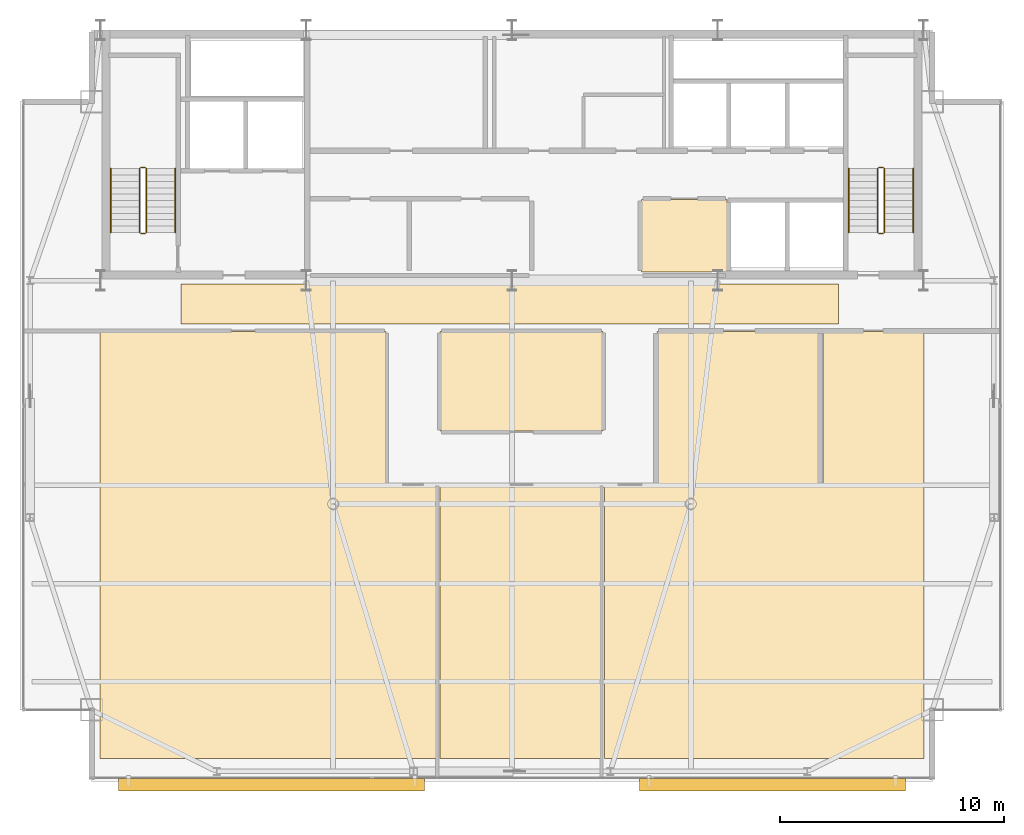
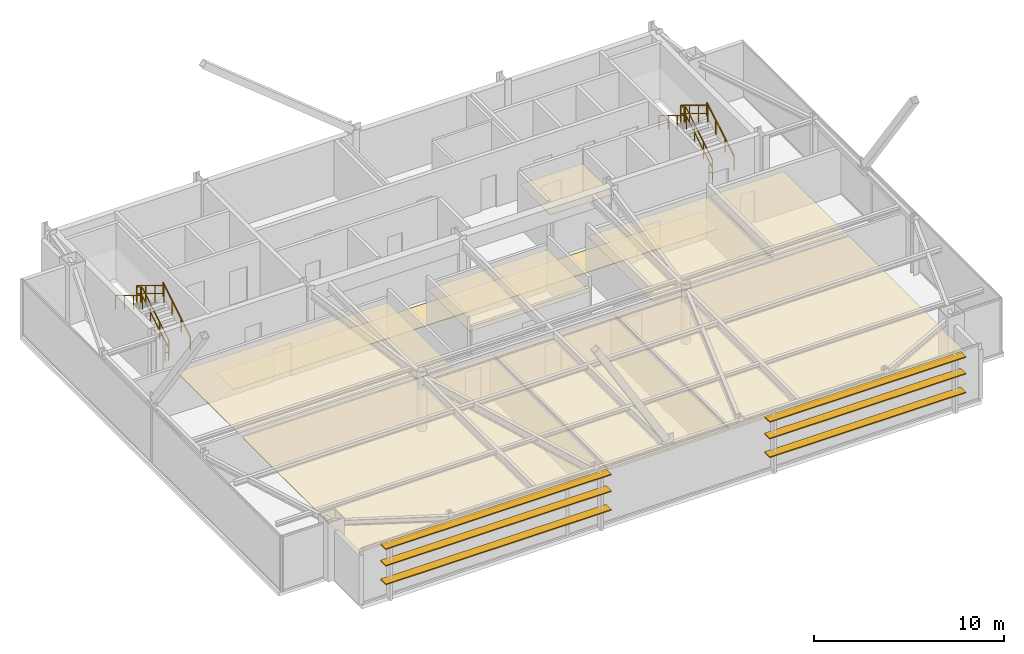
# One storey, part 24 of 24: 12 railings, 9 coverings, 6 shading devices.
"""IFC4 building model written with IfcOpenShell, lengths in metres."""

from ifc_helpers import new_model, si_unit, direction, frame, origin, origin_2d, place, context, subcontext, project, spatial, polyline, rectangle, outline, extrude, source, transform, mapped, material, layer, layer_set, type_object, type_shapes, element, save


model = new_model("IFC4")

# Units and contexts
model_context = context("Model", 3, precision=1e-05, world=origin(), true_north=direction((0.0, 1.0)))
body_context = subcontext(model_context, "Body", "Model", "MODEL_VIEW")
ifc_project = project(units=[si_unit("LENGTHUNIT", "METRE"), si_unit("AREAUNIT", "SQUARE_METRE"), si_unit("VOLUMEUNIT", "CUBIC_METRE"), si_unit("PLANEANGLEUNIT", "RADIAN"), si_unit("MASSUNIT", "GRAM", prefix="KILO")], contexts=[model_context])

# Site, building, storey
site_placement = place(None, origin())
site = spatial("IfcSite", under=ifc_project, at=site_placement, CompositionType="ELEMENT")
building_placement = place(site_placement, origin())
building = spatial("IfcBuilding", under=site, at=building_placement, Name="Varnel Quay Broadcast Tower", CompositionType="ELEMENT")
storey_placement = place(building_placement, frame((0.0, 0.0, 277.39990234375)))
storey = spatial("IfcBuildingStorey", under=building, at=storey_placement, Name="L69", CompositionType="ELEMENT", Elevation=277.39990234375)

# Coverings
ifc_material_1 = material(Name="Micro-Perforated Acoustic Ceiling Tile")
ifc_layer_1 = layer(ifc_material_1, 0.0400390625, Name="Micro-Perforated Acoustic Ceiling Tile")
ifc_layer_set_1 = layer_set([ifc_layer_1], Name="Micro-Perforated Acoustic Ceiling Tile")
covering_type_1 = type_object("IfcCoveringType", Name="Cov_AcousticCeiling", PredefinedType="CEILING", material=ifc_layer_set_1)
covering_1_placement = place(storey_placement, frame((0.0, 0.0, 2.580078125)))
element("IfcCovering", 1, at=covering_1_placement, inside=storey, type_object=covering_type_1, Name="L69 Electrical Sub-Distribution Closet Acoustic Ceiling", PredefinedType="CEILING", context=body_context, shape_type="SweptSolid", body=[
    extrude(outline(polyline([(39.784912109375, 35.985107421875), (43.614990234375, 35.985107421875), (43.614990234375, 39.215087890625), (39.784912109375, 39.215087890625), (39.784912109375, 35.985107421875)])), origin(), (0.0, 0.0, 1.0), 0.0400390625),
])
covering_2_placement = place(storey_placement, frame((0.0, 0.0, 2.580078125)))
element("IfcCovering", 2, at=covering_2_placement, inside=storey, type_object=covering_type_1, Name="L69 Bureau Office 1 Acoustic Ceiling", PredefinedType="CEILING", context=body_context, shape_type="SweptSolid", body=[
    extrude(outline(polyline([(15.5849609375, 14.22509765625), (30.715087890625, 14.22509765625), (30.715087890625, 26.445068359375), (15.5849609375, 26.445068359375), (15.5849609375, 14.22509765625)])), origin(), (0.0, 0.0, 1.0), 0.0400390625),
])
covering_3_placement = place(storey_placement, frame((0.0, 0.0, 2.580078125)))
element("IfcCovering", 3, at=covering_3_placement, inside=storey, type_object=covering_type_1, Name="L69 Reading Lounge 2 Acoustic Ceiling", PredefinedType="CEILING", context=body_context, shape_type="SweptSolid", body=[
    extrude(outline(polyline([(30.784912109375, 14.22509765625), (38.06494140625, 14.22509765625), (38.06494140625, 26.445068359375), (30.784912109375, 26.445068359375), (30.784912109375, 14.22509765625)])), origin(), (0.0, 0.0, 1.0), 0.0400390625),
])
covering_4_placement = place(storey_placement, frame((0.0, 0.0, 2.580078125)))
element("IfcCovering", 4, at=covering_4_placement, inside=storey, type_object=covering_type_1, Name="L69 Broadcast Seminar Room 3 Acoustic Ceiling", PredefinedType="CEILING", context=body_context, shape_type="SweptSolid", body=[
    extrude(outline(polyline([(38.135009765625, 14.22509765625), (52.4150390625, 14.22509765625), (52.4150390625, 26.445068359375), (38.135009765625, 26.445068359375), (38.135009765625, 14.22509765625)])), origin(), (0.0, 0.0, 1.0), 0.0400390625),
])
covering_5_placement = place(storey_placement, frame((0.0, 0.0, 2.580078125)))
element("IfcCovering", 5, at=covering_5_placement, inside=storey, type_object=covering_type_1, Name="L69 Press Briefing Room 4 Acoustic Ceiling", PredefinedType="CEILING", context=body_context, shape_type="SweptSolid", body=[
    extrude(outline(polyline([(15.5849609375, 26.514892578125), (28.364990234375, 26.514892578125), (28.364990234375, 33.31494140625), (15.5849609375, 33.31494140625), (15.5849609375, 26.514892578125)])), origin(), (0.0, 0.0, 1.0), 0.0400390625),
])
covering_6_placement = place(storey_placement, frame((0.0, 0.0, 2.580078125)))
element("IfcCovering", 6, at=covering_6_placement, inside=storey, type_object=covering_type_1, Name="L69 Editorial Huddle Room 5 Acoustic Ceiling", PredefinedType="CEILING", context=body_context, shape_type="SweptSolid", body=[
    extrude(outline(polyline([(30.784912109375, 28.864990234375), (38.06494140625, 28.864990234375), (38.06494140625, 33.31494140625), (30.784912109375, 33.31494140625), (30.784912109375, 28.864990234375)])), origin(), (0.0, 0.0, 1.0), 0.0400390625),
])
covering_7_placement = place(storey_placement, frame((0.0, 0.0, 2.580078125)))
element("IfcCovering", 7, at=covering_7_placement, inside=storey, type_object=covering_type_1, Name="L69 Journalism Training Studio 6 Acoustic Ceiling", PredefinedType="CEILING", context=body_context, shape_type="SweptSolid", body=[
    extrude(outline(polyline([(40.485107421875, 26.514892578125), (47.8349609375, 26.514892578125), (47.8349609375, 33.31494140625), (40.485107421875, 33.31494140625), (40.485107421875, 26.514892578125)])), origin(), (0.0, 0.0, 1.0), 0.0400390625),
])
covering_8_placement = place(storey_placement, frame((0.0, 0.0, 2.580078125)))
element("IfcCovering", 8, at=covering_8_placement, inside=storey, type_object=covering_type_1, Name="L69 Catering Kitchen 7 Acoustic Ceiling", PredefinedType="CEILING", context=body_context, shape_type="SweptSolid", body=[
    extrude(outline(polyline([(47.905029296875, 26.514892578125), (52.4150390625, 26.514892578125), (52.4150390625, 33.31494140625), (47.905029296875, 33.31494140625), (47.905029296875, 26.514892578125)])), origin(), (0.0, 0.0, 1.0), 0.0400390625),
])
ifc_material_2 = material(Name="Polished Terrazzo & Broadcast Raised Flooring")
ifc_layer_2 = layer(ifc_material_2, 0.0400390625, Name="Polished Terrazzo & Broadcast Raised Flooring")
ifc_layer_set_2 = layer_set([ifc_layer_2], Name="Polished Terrazzo & Broadcast Raised Flooring")
covering_type_2 = type_object("IfcCoveringType", Name="Cov_TerrazzoFloor", PredefinedType="FLOORING", material=ifc_layer_set_2)
covering_9_placement = place(storey_placement, origin())
element("IfcCovering", 9, at=covering_9_placement, inside=storey, type_object=covering_type_2, Name="L69 Corridor Terrazzo Flooring", PredefinedType="FLOORING", context=body_context, shape_type="SweptSolid", body=[
    extrude(outline(polyline([(19.199951171875, 33.64990234375), (48.60009765625, 33.64990234375), (48.60009765625, 35.449951171875), (19.199951171875, 35.449951171875), (19.199951171875, 33.64990234375)])), origin(), (0.0, 0.0, 1.0), 0.0400390625),
])

# Railings
ifc_material_3 = material(Name="Painted Steel Guard and Handrail CSA G40.21 350W", Category="steel")
railing_type_1 = type_object("IfcRailingType", Name="Rail_StairGuard1100", PredefinedType="GUARDRAIL", material=ifc_material_3)
railing_1_placement = place(storey_placement, frame((17.64990234375, 37.75, 0.1728515625)))
element("IfcRailing", 10, at=railing_1_placement, inside=storey, type_object=railing_type_1, Name="L69 ST-01 stair guard 1", PredefinedType="GUARDRAIL", context=body_context, shape_type="SweptSolid", body=[
    extrude(rectangle(XDim=0.048095703125, YDim=0.048095703125, at=origin_2d()), frame((0.0, 0.0, 1.076171875), z_axis=(0.0, 0.855202751398, 0.518293598264), x_axis=(-1.0, 0.0, 0.0)), (0.0, 0.0, 1.0), 3.332763671875),
    extrude(rectangle(XDim=0.048095703125, YDim=0.048095703125, at=origin_2d()), frame((0.0, 0.0, 0.550048828125), z_axis=(0.0, 0.855202751398, 0.518293598264), x_axis=(-1.0, 0.0, 0.0)), (0.0, 0.0, 1.0), 3.332763671875),
    extrude(rectangle(XDim=0.0419921875, YDim=0.0419921875, at=origin_2d()), origin(), (0.0, 0.0, 1.0), 1.052001953125),
    extrude(rectangle(XDim=0.0419921875, YDim=0.0419921875, at=origin_2d()), frame((0.0, 0.949951171875, 0.57568359375)), (0.0, 0.0, 1.0), 1.052001953125),
    extrude(rectangle(XDim=0.0419921875, YDim=0.0419921875, at=origin_2d()), frame((0.0, 1.900146484375, 1.151611328125)), (0.0, 0.0, 1.0), 1.052001953125),
    extrude(rectangle(XDim=0.0419921875, YDim=0.0419921875, at=origin_2d()), frame((0.0, 2.85009765625, 1.727294921875)), (0.0, 0.0, 1.0), 1.052001953125),
])
railing_2_placement = place(storey_placement, frame((17.60009765625, 40.64990234375, 1.900146484375)))
element("IfcRailing", 11, at=railing_2_placement, inside=storey, type_object=railing_type_1, Name="L69 ST-01 stair guard 2", PredefinedType="GUARDRAIL", context=body_context, shape_type="SweptSolid", body=[
    extrude(rectangle(XDim=0.048095703125, YDim=0.048095703125, at=origin_2d()), frame((0.0, 0.0, 1.076171875), z_axis=(-1.0, 0.0, 0.0), x_axis=(0.0, -1.0, 0.0)), (0.0, 0.0, 1.0), 0.2001953125),
    extrude(rectangle(XDim=0.048095703125, YDim=0.048095703125, at=origin_2d()), frame((0.0, 0.0, 0.550048828125), z_axis=(-1.0, 0.0, 0.0), x_axis=(0.0, -1.0, 0.0)), (0.0, 0.0, 1.0), 0.2001953125),
    extrude(rectangle(XDim=0.0419921875, YDim=0.0419921875, at=origin_2d()), origin(), (0.0, 0.0, 1.0), 1.052001953125),
    extrude(rectangle(XDim=0.0419921875, YDim=0.0419921875, at=origin_2d()), frame((-0.2001953125, 0.0, 0.0)), (0.0, 0.0, 1.0), 1.052001953125),
])
railing_3_placement = place(storey_placement, frame((17.35009765625, 40.60009765625, 2.07275390625)))
element("IfcRailing", 12, at=railing_3_placement, inside=storey, type_object=railing_type_1, Name="L69 ST-01 stair guard 3", PredefinedType="GUARDRAIL", context=body_context, shape_type="SweptSolid", body=[
    extrude(rectangle(XDim=0.048095703125, YDim=0.048095703125, at=origin_2d()), frame((0.0, 0.0, 1.076171875), z_axis=(0.0, -0.855202751398, 0.518293598264), x_axis=(1.0, 0.0, 0.0)), (0.0, 0.0, 1.0), 3.332763671875),
    extrude(rectangle(XDim=0.048095703125, YDim=0.048095703125, at=origin_2d()), frame((0.0, 0.0, 0.550048828125), z_axis=(0.0, -0.855202751398, 0.518293598264), x_axis=(1.0, 0.0, 0.0)), (0.0, 0.0, 1.0), 3.332763671875),
    extrude(rectangle(XDim=0.0419921875, YDim=0.0419921875, at=origin_2d()), origin(), (0.0, 0.0, 1.0), 1.052001953125),
    extrude(rectangle(XDim=0.0419921875, YDim=0.0419921875, at=origin_2d()), frame((0.0, -0.949951171875, 0.57568359375)), (0.0, 0.0, 1.0), 1.052001953125),
    extrude(rectangle(XDim=0.0419921875, YDim=0.0419921875, at=origin_2d()), frame((0.0, -1.900146484375, 1.151611328125)), (0.0, 0.0, 1.0), 1.052001953125),
    extrude(rectangle(XDim=0.0419921875, YDim=0.0419921875, at=origin_2d()), frame((0.0, -2.85009765625, 1.727294921875)), (0.0, 0.0, 1.0), 1.052001953125),
])
railing_4_placement = place(storey_placement, frame((17.60009765625, 37.699951171875, 0.0)))
element("IfcRailing", 13, at=railing_4_placement, inside=storey, type_object=railing_type_1, Name="L69 ST-01 stair guard 4", PredefinedType="GUARDRAIL", context=body_context, shape_type="SweptSolid", body=[
    extrude(rectangle(XDim=0.048095703125, YDim=0.048095703125, at=origin_2d()), frame((0.0, 0.0, 1.076171875), z_axis=(-1.0, 0.0, 0.0), x_axis=(0.0, -1.0, 0.0)), (0.0, 0.0, 1.0), 0.2001953125),
    extrude(rectangle(XDim=0.048095703125, YDim=0.048095703125, at=origin_2d()), frame((0.0, 0.0, 0.550048828125), z_axis=(-1.0, 0.0, 0.0), x_axis=(0.0, -1.0, 0.0)), (0.0, 0.0, 1.0), 0.2001953125),
    extrude(rectangle(XDim=0.0419921875, YDim=0.0419921875, at=origin_2d()), origin(), (0.0, 0.0, 1.0), 1.052001953125),
    extrude(rectangle(XDim=0.0419921875, YDim=0.0419921875, at=origin_2d()), frame((-0.2001953125, 0.0, 0.0)), (0.0, 0.0, 1.0), 1.052001953125),
])
railing_5_placement = place(storey_placement, frame((50.64990234375, 37.75, 0.1728515625)))
element("IfcRailing", 14, at=railing_5_placement, inside=storey, type_object=railing_type_1, Name="L69 ST-02 stair guard 1", PredefinedType="GUARDRAIL", context=body_context, shape_type="SweptSolid", body=[
    extrude(rectangle(XDim=0.048095703125, YDim=0.048095703125, at=origin_2d()), frame((0.0, 0.0, 1.076171875), z_axis=(0.0, 0.855202751398, 0.518293598264), x_axis=(-1.0, 0.0, 0.0)), (0.0, 0.0, 1.0), 3.332763671875),
    extrude(rectangle(XDim=0.048095703125, YDim=0.048095703125, at=origin_2d()), frame((0.0, 0.0, 0.550048828125), z_axis=(0.0, 0.855202751398, 0.518293598264), x_axis=(-1.0, 0.0, 0.0)), (0.0, 0.0, 1.0), 3.332763671875),
    extrude(rectangle(XDim=0.0419921875, YDim=0.0419921875, at=origin_2d()), origin(), (0.0, 0.0, 1.0), 1.052001953125),
    extrude(rectangle(XDim=0.0419921875, YDim=0.0419921875, at=origin_2d()), frame((0.0, 0.949951171875, 0.57568359375)), (0.0, 0.0, 1.0), 1.052001953125),
    extrude(rectangle(XDim=0.0419921875, YDim=0.0419921875, at=origin_2d()), frame((0.0, 1.900146484375, 1.151611328125)), (0.0, 0.0, 1.0), 1.052001953125),
    extrude(rectangle(XDim=0.0419921875, YDim=0.0419921875, at=origin_2d()), frame((0.0, 2.85009765625, 1.727294921875)), (0.0, 0.0, 1.0), 1.052001953125),
])
railing_6_placement = place(storey_placement, frame((50.60009765625, 40.64990234375, 1.900146484375)))
element("IfcRailing", 15, at=railing_6_placement, inside=storey, type_object=railing_type_1, Name="L69 ST-02 stair guard 2", PredefinedType="GUARDRAIL", context=body_context, shape_type="SweptSolid", body=[
    extrude(rectangle(XDim=0.048095703125, YDim=0.048095703125, at=origin_2d()), frame((0.0, 0.0, 1.076171875), z_axis=(-1.0, 0.0, 0.0), x_axis=(0.0, -1.0, 0.0)), (0.0, 0.0, 1.0), 0.2001953125),
    extrude(rectangle(XDim=0.048095703125, YDim=0.048095703125, at=origin_2d()), frame((0.0, 0.0, 0.550048828125), z_axis=(-1.0, 0.0, 0.0), x_axis=(0.0, -1.0, 0.0)), (0.0, 0.0, 1.0), 0.2001953125),
    extrude(rectangle(XDim=0.0419921875, YDim=0.0419921875, at=origin_2d()), origin(), (0.0, 0.0, 1.0), 1.052001953125),
    extrude(rectangle(XDim=0.0419921875, YDim=0.0419921875, at=origin_2d()), frame((-0.2001953125, 0.0, 0.0)), (0.0, 0.0, 1.0), 1.052001953125),
])
railing_7_placement = place(storey_placement, frame((50.35009765625, 40.60009765625, 2.07275390625)))
element("IfcRailing", 16, at=railing_7_placement, inside=storey, type_object=railing_type_1, Name="L69 ST-02 stair guard 3", PredefinedType="GUARDRAIL", context=body_context, shape_type="SweptSolid", body=[
    extrude(rectangle(XDim=0.048095703125, YDim=0.048095703125, at=origin_2d()), frame((0.0, 0.0, 1.076171875), z_axis=(0.0, -0.855202751398, 0.518293598264), x_axis=(1.0, 0.0, 0.0)), (0.0, 0.0, 1.0), 3.332763671875),
    extrude(rectangle(XDim=0.048095703125, YDim=0.048095703125, at=origin_2d()), frame((0.0, 0.0, 0.550048828125), z_axis=(0.0, -0.855202751398, 0.518293598264), x_axis=(1.0, 0.0, 0.0)), (0.0, 0.0, 1.0), 3.332763671875),
    extrude(rectangle(XDim=0.0419921875, YDim=0.0419921875, at=origin_2d()), origin(), (0.0, 0.0, 1.0), 1.052001953125),
    extrude(rectangle(XDim=0.0419921875, YDim=0.0419921875, at=origin_2d()), frame((0.0, -0.949951171875, 0.57568359375)), (0.0, 0.0, 1.0), 1.052001953125),
    extrude(rectangle(XDim=0.0419921875, YDim=0.0419921875, at=origin_2d()), frame((0.0, -1.900146484375, 1.151611328125)), (0.0, 0.0, 1.0), 1.052001953125),
    extrude(rectangle(XDim=0.0419921875, YDim=0.0419921875, at=origin_2d()), frame((0.0, -2.85009765625, 1.727294921875)), (0.0, 0.0, 1.0), 1.052001953125),
])
railing_8_placement = place(storey_placement, frame((50.60009765625, 37.699951171875, 0.0)))
element("IfcRailing", 17, at=railing_8_placement, inside=storey, type_object=railing_type_1, Name="L69 ST-02 stair guard 4", PredefinedType="GUARDRAIL", context=body_context, shape_type="SweptSolid", body=[
    extrude(rectangle(XDim=0.048095703125, YDim=0.048095703125, at=origin_2d()), frame((0.0, 0.0, 1.076171875), z_axis=(-1.0, 0.0, 0.0), x_axis=(0.0, -1.0, 0.0)), (0.0, 0.0, 1.0), 0.2001953125),
    extrude(rectangle(XDim=0.048095703125, YDim=0.048095703125, at=origin_2d()), frame((0.0, 0.0, 0.550048828125), z_axis=(-1.0, 0.0, 0.0), x_axis=(0.0, -1.0, 0.0)), (0.0, 0.0, 1.0), 0.2001953125),
    extrude(rectangle(XDim=0.0419921875, YDim=0.0419921875, at=origin_2d()), origin(), (0.0, 0.0, 1.0), 1.052001953125),
    extrude(rectangle(XDim=0.0419921875, YDim=0.0419921875, at=origin_2d()), frame((-0.2001953125, 0.0, 0.0)), (0.0, 0.0, 1.0), 1.052001953125),
])
railing_type_2 = type_object("IfcRailingType", Name="Rail_StairHandrail900", PredefinedType="HANDRAIL", material=ifc_material_3)
railing_9_placement = place(storey_placement, frame((18.949951171875, 37.75, 0.1728515625)))
element("IfcRailing", 18, at=railing_9_placement, inside=storey, type_object=railing_type_2, Name="L69 ST-01 stair handrail 1", PredefinedType="HANDRAIL", context=body_context, shape_type="SweptSolid", body=[
    extrude(rectangle(XDim=0.048095703125, YDim=0.048095703125, at=origin_2d()), frame((0.0, 0.0, 0.8759765625), z_axis=(0.0, 0.855202751398, 0.518293598264), x_axis=(-1.0, 0.0, 0.0)), (0.0, 0.0, 1.0), 3.332763671875),
    extrude(rectangle(XDim=0.0419921875, YDim=0.0419921875, at=origin_2d()), origin(), (0.0, 0.0, 1.0), 0.851806640625),
    extrude(rectangle(XDim=0.0419921875, YDim=0.0419921875, at=origin_2d()), frame((0.0, 0.949951171875, 0.57568359375)), (0.0, 0.0, 1.0), 0.851806640625),
    extrude(rectangle(XDim=0.0419921875, YDim=0.0419921875, at=origin_2d()), frame((0.0, 1.900146484375, 1.151611328125)), (0.0, 0.0, 1.0), 0.851806640625),
    extrude(rectangle(XDim=0.0419921875, YDim=0.0419921875, at=origin_2d()), frame((0.0, 2.85009765625, 1.727294921875)), (0.0, 0.0, 1.0), 0.851806640625),
])
railing_10_placement = place(storey_placement, frame((16.050048828125, 40.60009765625, 2.07275390625)))
element("IfcRailing", 19, at=railing_10_placement, inside=storey, type_object=railing_type_2, Name="L69 ST-01 stair handrail 2", PredefinedType="HANDRAIL", context=body_context, shape_type="SweptSolid", body=[
    extrude(rectangle(XDim=0.048095703125, YDim=0.048095703125, at=origin_2d()), frame((0.0, 0.0, 0.8759765625), z_axis=(0.0, -0.855202751398, 0.518293598264), x_axis=(1.0, 0.0, 0.0)), (0.0, 0.0, 1.0), 3.332763671875),
    extrude(rectangle(XDim=0.0419921875, YDim=0.0419921875, at=origin_2d()), origin(), (0.0, 0.0, 1.0), 0.851806640625),
    extrude(rectangle(XDim=0.0419921875, YDim=0.0419921875, at=origin_2d()), frame((0.0, -0.949951171875, 0.57568359375)), (0.0, 0.0, 1.0), 0.851806640625),
    extrude(rectangle(XDim=0.0419921875, YDim=0.0419921875, at=origin_2d()), frame((0.0, -1.900146484375, 1.151611328125)), (0.0, 0.0, 1.0), 0.851806640625),
    extrude(rectangle(XDim=0.0419921875, YDim=0.0419921875, at=origin_2d()), frame((0.0, -2.85009765625, 1.727294921875)), (0.0, 0.0, 1.0), 0.851806640625),
])
railing_11_placement = place(storey_placement, frame((51.949951171875, 37.75, 0.1728515625)))
element("IfcRailing", 20, at=railing_11_placement, inside=storey, type_object=railing_type_2, Name="L69 ST-02 stair handrail 1", PredefinedType="HANDRAIL", context=body_context, shape_type="SweptSolid", body=[
    extrude(rectangle(XDim=0.048095703125, YDim=0.048095703125, at=origin_2d()), frame((0.0, 0.0, 0.8759765625), z_axis=(0.0, 0.855202751398, 0.518293598264), x_axis=(-1.0, 0.0, 0.0)), (0.0, 0.0, 1.0), 3.332763671875),
    extrude(rectangle(XDim=0.0419921875, YDim=0.0419921875, at=origin_2d()), origin(), (0.0, 0.0, 1.0), 0.851806640625),
    extrude(rectangle(XDim=0.0419921875, YDim=0.0419921875, at=origin_2d()), frame((0.0, 0.949951171875, 0.57568359375)), (0.0, 0.0, 1.0), 0.851806640625),
    extrude(rectangle(XDim=0.0419921875, YDim=0.0419921875, at=origin_2d()), frame((0.0, 1.900146484375, 1.151611328125)), (0.0, 0.0, 1.0), 0.851806640625),
    extrude(rectangle(XDim=0.0419921875, YDim=0.0419921875, at=origin_2d()), frame((0.0, 2.85009765625, 1.727294921875)), (0.0, 0.0, 1.0), 0.851806640625),
])
railing_12_placement = place(storey_placement, frame((49.050048828125, 40.60009765625, 2.07275390625)))
element("IfcRailing", 21, at=railing_12_placement, inside=storey, type_object=railing_type_2, Name="L69 ST-02 stair handrail 2", PredefinedType="HANDRAIL", context=body_context, shape_type="SweptSolid", body=[
    extrude(rectangle(XDim=0.048095703125, YDim=0.048095703125, at=origin_2d()), frame((0.0, 0.0, 0.8759765625), z_axis=(0.0, -0.855202751398, 0.518293598264), x_axis=(1.0, 0.0, 0.0)), (0.0, 0.0, 1.0), 3.332763671875),
    extrude(rectangle(XDim=0.0419921875, YDim=0.0419921875, at=origin_2d()), origin(), (0.0, 0.0, 1.0), 0.851806640625),
    extrude(rectangle(XDim=0.0419921875, YDim=0.0419921875, at=origin_2d()), frame((0.0, -0.949951171875, 0.57568359375)), (0.0, 0.0, 1.0), 0.851806640625),
    extrude(rectangle(XDim=0.0419921875, YDim=0.0419921875, at=origin_2d()), frame((0.0, -1.900146484375, 1.151611328125)), (0.0, 0.0, 1.0), 0.851806640625),
    extrude(rectangle(XDim=0.0419921875, YDim=0.0419921875, at=origin_2d()), frame((0.0, -2.85009765625, 1.727294921875)), (0.0, 0.0, 1.0), 0.851806640625),
])

# Shading devices
ifc_material_4 = material(Name="Bronze-Terracotta Extruded Ceramic Blade", Category="masonry")
ifc_layer_3 = layer(ifc_material_4, 0.06494140625, Name="Bronze-Terracotta Extruded Ceramic Blade")
ifc_layer_set_3 = layer_set([ifc_layer_3], Name="Bronze-Terracotta Extruded Ceramic Blade")
shading_device_type = type_object("IfcShadingDeviceType", Name="Shade_LouvreBlade550", PredefinedType="JALOUSIE", material=ifc_layer_set_3)
shared_shape_1 = source(origin(), body_context, "Body", "SweptSolid", [
    extrude(rectangle(XDim=13.695068359375, YDim=0.550048828125, at=origin_2d()), origin(), (0.0, 0.0, 1.0), 0.06494140625),
])
for number, where, z_axis, x_axis, name in (
    (22, (23.2470703125, 13.06005859375, 1.11767578125), (0.0, 0.0, 1.0), (1.0, 0.0, 0.0), "L69 Lobe 1 Horizontal Louvre Blade 1"),
    (23, (23.2470703125, 13.06005859375, 2.317626953125), (0.0, 0.0, 1.0), (1.0, 0.0, 0.0), "L69 Lobe 1 Horizontal Louvre Blade 2"),
    (24, (23.2470703125, 13.06005859375, 3.3876953125), (0.0, 0.0, 1.0), (1.0, 0.0, 0.0), "L69 Lobe 1 Horizontal Louvre Blade 3"),
):
    element("IfcShadingDevice", number, at=place(storey_placement, frame(where, z_axis=z_axis, x_axis=x_axis)), inside=storey, type_object=shading_device_type, Name=name, PredefinedType="JALOUSIE", context=body_context, shape_type="MappedRepresentation", body=[
        mapped(shared_shape_1, transform((0.0, 0.0, 0.0), x_axis=(1.0, 0.0, 0.0), y_axis=(0.0, 1.0, 0.0), z_axis=(0.0, 0.0, 1.0), scale=1.0)),
    ])
shared_shape_2 = source(origin(), body_context, "Body", "SweptSolid", [
    extrude(rectangle(XDim=11.905029296875, YDim=0.550048828125, at=origin_2d()), origin(), (0.0, 0.0, 1.0), 0.06494140625),
])
type_shapes(shading_device_type, [shared_shape_1, shared_shape_2])
for number, where, z_axis, x_axis, name in (
    (25, (45.64794921875, 13.06005859375, 1.11767578125), (0.0, 0.0, 1.0), (1.0, 0.0, 0.0), "L69 Lobe 2 Horizontal Louvre Blade 1"),
    (26, (45.64794921875, 13.06005859375, 2.317626953125), (0.0, 0.0, 1.0), (1.0, 0.0, 0.0), "L69 Lobe 2 Horizontal Louvre Blade 2"),
    (27, (45.64794921875, 13.06005859375, 3.3876953125), (0.0, 0.0, 1.0), (1.0, 0.0, 0.0), "L69 Lobe 2 Horizontal Louvre Blade 3"),
):
    element("IfcShadingDevice", number, at=place(storey_placement, frame(where, z_axis=z_axis, x_axis=x_axis)), inside=storey, type_object=shading_device_type, Name=name, PredefinedType="JALOUSIE", context=body_context, shape_type="MappedRepresentation", body=[
        mapped(shared_shape_2, transform((0.0, 0.0, 0.0), x_axis=(1.0, 0.0, 0.0), y_axis=(0.0, 1.0, 0.0), z_axis=(0.0, 0.0, 1.0), scale=1.0)),
    ])

save(model, "model.ifc")
